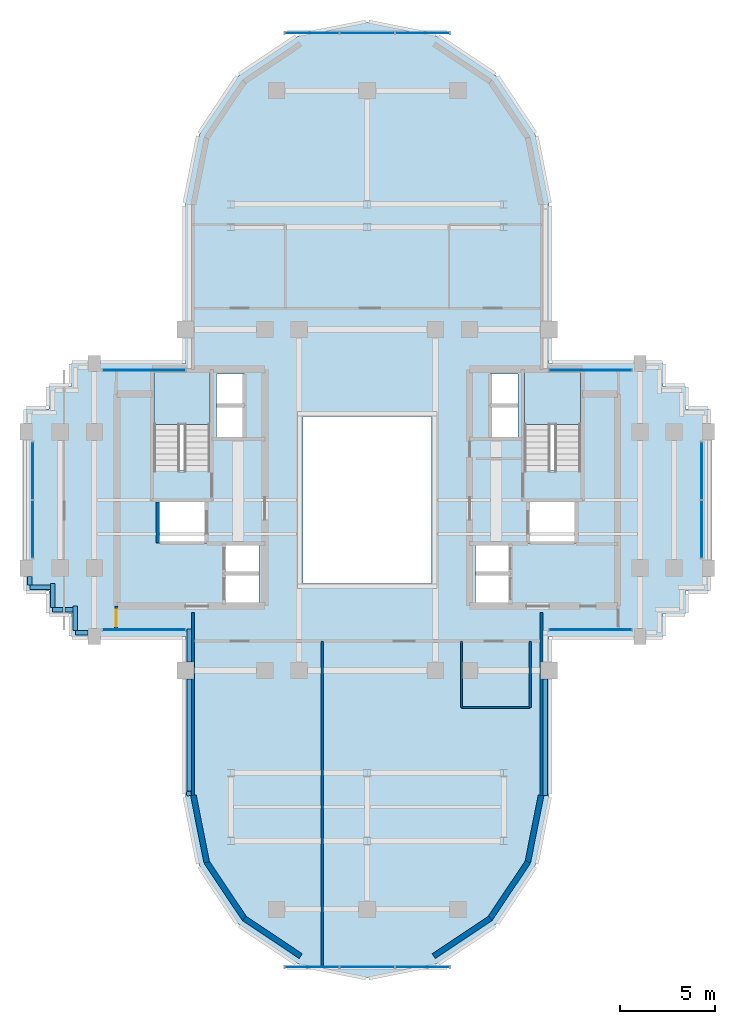
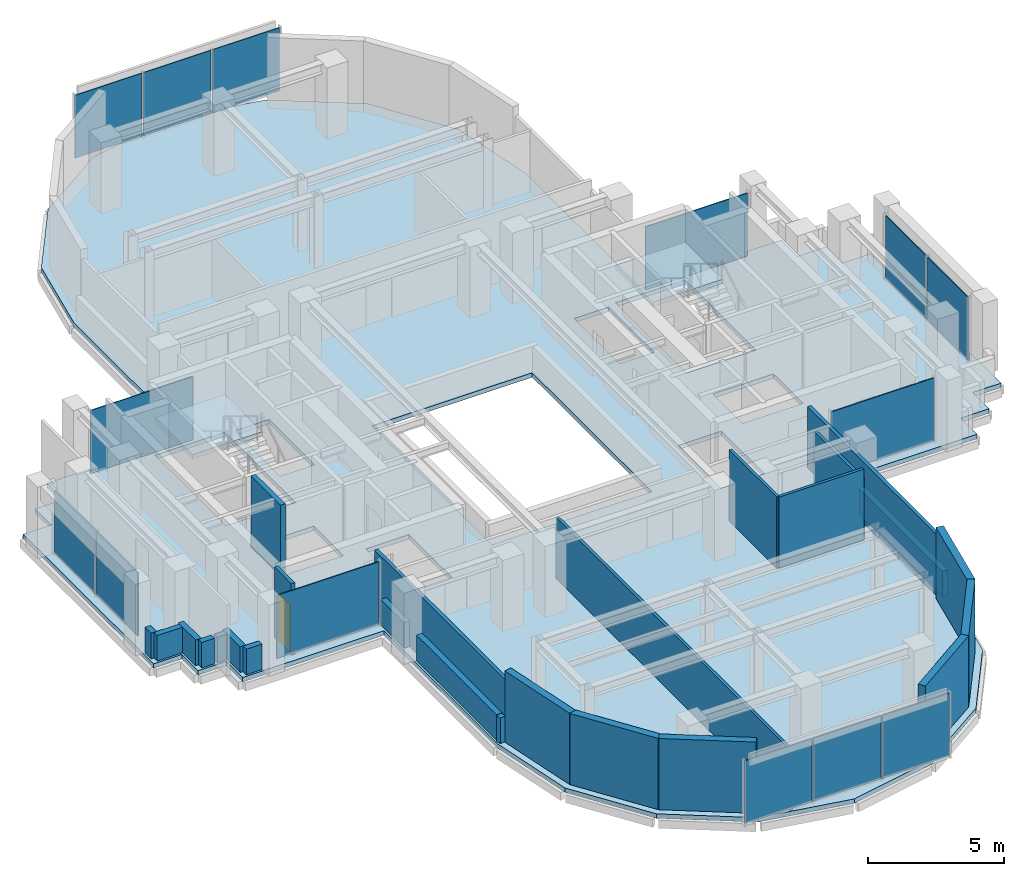
# One storey, part 5 of 11: 25 walls, 14 plates, 3 slabs, 1 door, 1 opening, 10 elements without a shape of their own.
"""IFC4 building model written with IfcOpenShell, lengths in metres."""

from ifc_helpers import new_model, si_unit, direction, frame, frame_2d, origin, origin_2d, place, context, subcontext, project, spatial, polyline, rectangle, outline, extrude, source, transform, mapped, material, layer, layer_set, type_object, element, fill, aggregate, save


model = new_model("IFC4")

# Units and contexts
model_context = context("Model", 3, precision=1e-05, world=origin(), true_north=direction((0.0, 1.0)))
body_context = subcontext(model_context, "Body", "Model", "MODEL_VIEW")
ifc_project = project(units=[si_unit("LENGTHUNIT", "METRE"), si_unit("AREAUNIT", "SQUARE_METRE"), si_unit("VOLUMEUNIT", "CUBIC_METRE"), si_unit("PLANEANGLEUNIT", "RADIAN"), si_unit("MASSUNIT", "GRAM", prefix="KILO")], contexts=[model_context])

# Site, building, storey
site_placement = place(None, origin())
site = spatial("IfcSite", under=ifc_project, at=site_placement, CompositionType="ELEMENT")
building_placement = place(site_placement, origin())
building = spatial("IfcBuilding", under=site, at=building_placement, Name="Keilestroom Media Tower", CompositionType="ELEMENT")
storey_placement = place(building_placement, frame((0.0, 0.0, 174.0)))
storey = spatial("IfcBuildingStorey", under=building, at=storey_placement, Name="L47", CompositionType="ELEMENT", Elevation=174.0)

# Slab
ifc_material_1 = material(Name="Concrete C50/60", Category="concrete")
ifc_layer_1 = layer(ifc_material_1, 0.199951171875)
ifc_layer_set_1 = layer_set([ifc_layer_1], Name="Concrete C50/60")
slab_type_1 = type_object("IfcSlabType", Name="Composite-Floor-Slab-200", PredefinedType="FLOOR", material=ifc_layer_set_1)
slab_1_placement = place(storey_placement, frame((0.0, 0.0, -0.199951171875)))
element("IfcSlab", 1, at=slab_1_placement, inside=storey, type_object=slab_type_1, Name="L47 Structural Composite Floor Slab", PredefinedType="FLOOR", context=body_context, shape_type="SweptSolid", body=[
    extrude(outline(polyline([(18.0, -4.800048828125), (18.0, 4.800048828125), (16.800048828125, 4.800048828125), (16.800048828125, 6.0), (15.60009765625, 6.0), (15.60009765625, 7.199951171875), (9.60009765625, 7.199951171875), (9.60009765625, 9.60009765625), (9.60009765625, 15.60009765625), (8.869140625, 19.273681640625), (6.7880859375, 22.38818359375), (3.673828125, 24.46923828125), (0.0, 25.199951171875), (-3.673828125, 24.46923828125), (-6.7880859375, 22.38818359375), (-8.869140625, 19.273681640625), (-9.60009765625, 15.60009765625), (-9.60009765625, 9.60009765625), (-9.60009765625, 7.199951171875), (-15.60009765625, 7.199951171875), (-15.60009765625, 6.0), (-16.800048828125, 6.0), (-16.800048828125, 4.800048828125), (-18.0, 4.800048828125), (-18.0, -4.800048828125), (-16.800048828125, -4.800048828125), (-16.800048828125, -6.0), (-15.60009765625, -6.0), (-15.60009765625, -7.199951171875), (-9.60009765625, -7.199951171875), (-9.60009765625, -9.60009765625), (-9.60009765625, -15.60009765625), (-8.869140625, -19.273681640625), (-6.7880859375, -22.38818359375), (-3.673828125, -24.46923828125), (0.0, -25.199951171875), (3.673828125, -24.46923828125), (6.7880859375, -22.38818359375), (8.869140625, -19.273681640625), (9.60009765625, -15.60009765625), (9.60009765625, -9.60009765625), (9.60009765625, -7.199951171875), (15.60009765625, -7.199951171875), (15.60009765625, -6.0), (16.800048828125, -6.0), (16.800048828125, -4.800048828125), (18.0, -4.800048828125)]), holes=[polyline([(-11.260009765625, 1.544921875), (-11.260009765625, 6.760009765625), (-8.300048828125, 6.760009765625), (-8.300048828125, 1.544921875), (-11.260009765625, 1.544921875)]), polyline([(-11.050048828125, -2.280029296875), (-11.050048828125, -0.10009765625), (-8.47998046875, -0.10009765625), (-8.47998046875, -2.280029296875), (-11.050048828125, -2.280029296875)]), polyline([(-7.949951171875, 3.300048828125), (-7.949951171875, 6.64990234375), (-6.47998046875, 6.64990234375), (-6.47998046875, 3.300048828125), (-7.949951171875, 3.300048828125)]), polyline([(-7.56005859375, -2.320068359375), (-5.719970703125, -2.320068359375), (-5.719970703125, -5.47998046875), (-7.56005859375, -5.47998046875), (-7.56005859375, -2.320068359375)]), polyline([(3.39990234375, -4.39990234375), (-3.39990234375, -4.39990234375), (-3.39990234375, 4.39990234375), (3.39990234375, 4.39990234375), (3.39990234375, -4.39990234375)]), polyline([(7.56005859375, -2.320068359375), (7.56005859375, -5.47998046875), (5.719970703125, -5.47998046875), (5.719970703125, -2.320068359375), (7.56005859375, -2.320068359375)]), polyline([(6.47998046875, 3.300048828125), (6.47998046875, 6.64990234375), (7.949951171875, 6.64990234375), (7.949951171875, 3.300048828125), (6.47998046875, 3.300048828125)]), polyline([(8.300048828125, 1.544921875), (8.300048828125, 6.760009765625), (11.260009765625, 6.760009765625), (11.260009765625, 1.544921875), (8.300048828125, 1.544921875)]), polyline([(8.47998046875, -2.280029296875), (8.47998046875, -0.10009765625), (11.050048828125, -0.10009765625), (11.050048828125, -2.280029296875), (8.47998046875, -2.280029296875)])]), origin(), (0.0, 0.0, 1.0), 0.199951171875),
])

# Stair, slab
ifc_material_2 = material(Name="Concrete C45/55", Category="concrete")
stair_type = type_object("IfcStairType", Name="Enclosed-Dog-Leg-Stair-ST-CORE", PredefinedType="HALF_TURN_STAIR", material=ifc_material_2)
stair_1_placement = place(storey_placement, origin())
stair_1 = element("IfcStair", 2, at=stair_1_placement, inside=storey, type_object=stair_type, Name="L47 West Core Escape Stair ST-1", PredefinedType="HALF_TURN_STAIR")
ifc_layer_2 = layer(ifc_material_2, 0.199951171875)
ifc_layer_set_2 = layer_set([ifc_layer_2], Name="Concrete C45/55")
slab_type_2 = type_object("IfcSlabType", Name="Stair-Intermediate-And-Top-Landing-Slab-200", PredefinedType="LANDING", material=ifc_layer_set_2)
slab_2_placement = place(storey_placement, frame((0.0, 0.0, 1.5)))
slab_2 = element("IfcSlab", 3, at=slab_2_placement, type_object=slab_type_2, Name="ST-1 landing 1", PredefinedType="LANDING", context=body_context, shape_type="SweptSolid", body=[
    extrude(outline(polyline([(-8.300048828125, 3.99609375), (-8.300048828125, 6.760009765625), (-11.260009765625, 6.760009765625), (-11.260009765625, 3.99609375), (-8.300048828125, 3.99609375)])), origin(), (0.0, 0.0, 1.0), 0.199951171875),
])
aggregate(stair_1, [slab_2])

stair_2_placement = place(storey_placement, origin())
stair_2 = element("IfcStair", 4, at=stair_2_placement, inside=storey, type_object=stair_type, Name="L47 East Core Escape Stair ST-2", PredefinedType="HALF_TURN_STAIR")
slab_3_placement = place(storey_placement, frame((0.0, 0.0, 1.5)))
slab_3 = element("IfcSlab", 5, at=slab_3_placement, type_object=slab_type_2, Name="ST-2 landing 1", PredefinedType="LANDING", context=body_context, shape_type="SweptSolid", body=[
    extrude(outline(polyline([(11.260009765625, 3.99609375), (11.260009765625, 6.760009765625), (8.300048828125, 6.760009765625), (8.300048828125, 3.99609375), (11.260009765625, 3.99609375)])), origin(), (0.0, 0.0, 1.0), 0.199951171875),
])
aggregate(stair_2, [slab_3])

# Curtain wall, plates
ifc_material_3 = material(Name="Anodised Aluminium Alloy", Category="aluminium")
curtain_wall_type_1 = type_object("IfcCurtainWallType", Name="Unitised-Curtain-Wall-CW-6", PredefinedType="NOTDEFINED", material=ifc_material_3)
curtain_wall_1_placement = place(storey_placement, origin())
curtain_wall_1 = element("IfcCurtainWall", 6, at=curtain_wall_1_placement, inside=storey, type_object=curtain_wall_type_1, Name="L47 Curtain Wall CW-6 CW-L47-LN-1", PredefinedType="NOTDEFINED")
ifc_material_4 = material(Name="Curved-Facet Triple Glazed Unit", Category="glass")
ifc_layer_3 = layer(ifc_material_4, 0.033935546875)
ifc_layer_set_3 = layer_set([ifc_layer_3], Name="Curved-Facet Triple Glazed Unit")
plate_type_1 = type_object("IfcPlateType", Name="Insulated-Curtain-Wall-Glazing-Panel-CW-6", PredefinedType="CURTAIN_PANEL", material=ifc_layer_set_3)
shared_shape_1 = source(origin(), body_context, "Body", "SweptSolid", [
    extrude(rectangle(XDim=2.84375, YDim=0.033935546875, at=origin_2d()), origin(), (0.0, 0.0, 1.0), 2.833984375),
])
plate_1_placement = place(storey_placement, frame((-2.9169921875, 24.64990234375, 0.072998046875), z_axis=(0.0, 0.0, 1.0), x_axis=(1.0, 0.0, 0.0)))
plate_1 = element("IfcPlate", 7, at=plate_1_placement, type_object=plate_type_1, Name="CW-6 Unitised Glazing 00", PredefinedType="CURTAIN_PANEL", context=body_context, shape_type="MappedRepresentation", body=[
    mapped(shared_shape_1, transform((0.0, 0.0, 0.0), x_axis=(1.0, 0.0, 0.0), y_axis=(0.0, 1.0, 0.0), z_axis=(0.0, 0.0, 1.0), scale=1.0)),
])
plate_2_placement = place(storey_placement, frame((2.9169921875, 24.64990234375, 0.072998046875), z_axis=(0.0, 0.0, 1.0), x_axis=(1.0, 0.0, 0.0)))
plate_2 = element("IfcPlate", 8, at=plate_2_placement, type_object=plate_type_1, Name="CW-6 Unitised Glazing 02", PredefinedType="CURTAIN_PANEL", context=body_context, shape_type="MappedRepresentation", body=[
    mapped(shared_shape_1, transform((0.0, 0.0, 0.0), x_axis=(1.0, 0.0, 0.0), y_axis=(0.0, 1.0, 0.0), z_axis=(0.0, 0.0, 1.0), scale=1.0)),
])

curtain_wall_2_placement = place(storey_placement, origin())
curtain_wall_2 = element("IfcCurtainWall", 9, at=curtain_wall_2_placement, inside=storey, type_object=curtain_wall_type_1, Name="L47 Curtain Wall CW-6 CW-L47-LS-1", PredefinedType="NOTDEFINED")
plate_3_placement = place(storey_placement, frame((-2.9169921875, -24.64990234375, 0.072998046875), z_axis=(0.0, 0.0, 1.0), x_axis=(1.0, 0.0, 0.0)))
plate_3 = element("IfcPlate", 10, at=plate_3_placement, type_object=plate_type_1, Name="CW-6 Unitised Glazing 00", PredefinedType="CURTAIN_PANEL", context=body_context, shape_type="MappedRepresentation", body=[
    mapped(shared_shape_1, transform((0.0, 0.0, 0.0), x_axis=(1.0, 0.0, 0.0), y_axis=(0.0, 1.0, 0.0), z_axis=(0.0, 0.0, 1.0), scale=1.0)),
])
plate_4_placement = place(storey_placement, frame((2.9169921875, -24.64990234375, 0.072998046875), z_axis=(0.0, 0.0, 1.0), x_axis=(1.0, 0.0, 0.0)))
plate_4 = element("IfcPlate", 11, at=plate_4_placement, type_object=plate_type_1, Name="CW-6 Unitised Glazing 02", PredefinedType="CURTAIN_PANEL", context=body_context, shape_type="MappedRepresentation", body=[
    mapped(shared_shape_1, transform((0.0, 0.0, 0.0), x_axis=(1.0, 0.0, 0.0), y_axis=(0.0, 1.0, 0.0), z_axis=(0.0, 0.0, 1.0), scale=1.0)),
])

# Plate
shared_shape_2 = source(origin(), body_context, "Body", "SweptSolid", [
    extrude(rectangle(XDim=2.876220703125, YDim=0.033935546875, at=origin_2d()), origin(), (0.0, 0.0, 1.0), 2.833984375),
])
plate_5_placement = place(storey_placement, frame((0.0, 24.64990234375, 0.072998046875), z_axis=(0.0, 0.0, 1.0), x_axis=(1.0, 0.0, 0.0)))
plate_5 = element("IfcPlate", 12, at=plate_5_placement, type_object=plate_type_1, Name="CW-6 Unitised Glazing 01", PredefinedType="CURTAIN_PANEL", context=body_context, shape_type="MappedRepresentation", body=[
    mapped(shared_shape_2, transform((0.0, 0.0, 0.0), x_axis=(1.0, 0.0, 0.0), y_axis=(0.0, 1.0, 0.0), z_axis=(0.0, 0.0, 1.0), scale=1.0)),
])

aggregate(curtain_wall_1, [plate_1, plate_5, plate_2])

plate_6_placement = place(storey_placement, frame((0.0, -24.64990234375, 0.072998046875), z_axis=(0.0, 0.0, 1.0), x_axis=(1.0, 0.0, 0.0)))
plate_6 = element("IfcPlate", 13, at=plate_6_placement, type_object=plate_type_1, Name="CW-6 Unitised Glazing 01", PredefinedType="CURTAIN_PANEL", context=body_context, shape_type="MappedRepresentation", body=[
    mapped(shared_shape_2, transform((0.0, 0.0, 0.0), x_axis=(1.0, 0.0, 0.0), y_axis=(0.0, 1.0, 0.0), z_axis=(0.0, 0.0, 1.0), scale=1.0)),
])

aggregate(curtain_wall_2, [plate_3, plate_6, plate_4])

# Curtain wall, plate
curtain_wall_type_2 = type_object("IfcCurtainWallType", Name="Unitised-Curtain-Wall-CW-3", PredefinedType="NOTDEFINED", material=ifc_material_3)
curtain_wall_3_placement = place(storey_placement, origin())
curtain_wall_3 = element("IfcCurtainWall", 14, at=curtain_wall_3_placement, inside=storey, type_object=curtain_wall_type_2, Name="L47 Curtain Wall CW-3 CW-L47-NW-1", PredefinedType="NOTDEFINED")
ifc_material_5 = material(Name="Triple Glazed Acoustic Low-E Unit", Category="glass")
ifc_layer_4 = layer(ifc_material_5, 0.0380859375)
ifc_layer_set_4 = layer_set([ifc_layer_4], Name="Triple Glazed Acoustic Low-E Unit")
plate_type_2 = type_object("IfcPlateType", Name="Insulated-Curtain-Wall-Glazing-Panel-CW-3", PredefinedType="CURTAIN_PANEL", material=ifc_layer_set_4)
shared_shape_3 = source(origin(), body_context, "Body", "SweptSolid", [
    extrude(rectangle(XDim=4.343017578125, YDim=0.0380859375, at=origin_2d()), origin(), (0.0, 0.0, 1.0), 2.833984375),
])
plate_7_placement = place(storey_placement, frame((-11.782470703125, 6.85009765625, 0.072998046875), z_axis=(0.0, 0.0, 1.0), x_axis=(1.0, 0.0, 0.0)))
plate_7 = element("IfcPlate", 15, at=plate_7_placement, type_object=plate_type_2, Name="CW-3 Unitised Glazing 00", PredefinedType="CURTAIN_PANEL", context=body_context, shape_type="MappedRepresentation", body=[
    mapped(shared_shape_3, transform((0.0, 0.0, 0.0), x_axis=(1.0, 0.0, 0.0), y_axis=(0.0, 1.0, 0.0), z_axis=(0.0, 0.0, 1.0), scale=1.0)),
])
aggregate(curtain_wall_3, [plate_7])

curtain_wall_4_placement = place(storey_placement, origin())
curtain_wall_4 = element("IfcCurtainWall", 16, at=curtain_wall_4_placement, inside=storey, type_object=curtain_wall_type_2, Name="L47 Curtain Wall CW-3 CW-L47-NE-1", PredefinedType="NOTDEFINED")
plate_8_placement = place(storey_placement, frame((11.782470703125, 6.85009765625, 0.072998046875), z_axis=(0.0, 0.0, 1.0), x_axis=(1.0, 0.0, 0.0)))
plate_8 = element("IfcPlate", 17, at=plate_8_placement, type_object=plate_type_2, Name="CW-3 Unitised Glazing 00", PredefinedType="CURTAIN_PANEL", context=body_context, shape_type="MappedRepresentation", body=[
    mapped(shared_shape_3, transform((0.0, 0.0, 0.0), x_axis=(1.0, 0.0, 0.0), y_axis=(0.0, 1.0, 0.0), z_axis=(0.0, 0.0, 1.0), scale=1.0)),
])
aggregate(curtain_wall_4, [plate_8])

curtain_wall_5_placement = place(storey_placement, origin())
curtain_wall_5 = element("IfcCurtainWall", 18, at=curtain_wall_5_placement, inside=storey, type_object=curtain_wall_type_2, Name="L47 Curtain Wall CW-3 CW-L47-SW-1", PredefinedType="NOTDEFINED")
plate_9_placement = place(storey_placement, frame((-11.782470703125, -6.85009765625, 0.072998046875), z_axis=(0.0, 0.0, 1.0), x_axis=(1.0, 0.0, 0.0)))
plate_9 = element("IfcPlate", 19, at=plate_9_placement, type_object=plate_type_2, Name="CW-3 Unitised Glazing 00", PredefinedType="CURTAIN_PANEL", context=body_context, shape_type="MappedRepresentation", body=[
    mapped(shared_shape_3, transform((0.0, 0.0, 0.0), x_axis=(1.0, 0.0, 0.0), y_axis=(0.0, 1.0, 0.0), z_axis=(0.0, 0.0, 1.0), scale=1.0)),
])
aggregate(curtain_wall_5, [plate_9])

curtain_wall_6_placement = place(storey_placement, origin())
curtain_wall_6 = element("IfcCurtainWall", 20, at=curtain_wall_6_placement, inside=storey, type_object=curtain_wall_type_2, Name="L47 Curtain Wall CW-3 CW-L47-SE-1", PredefinedType="NOTDEFINED")
plate_10_placement = place(storey_placement, frame((11.782470703125, -6.85009765625, 0.072998046875), z_axis=(0.0, 0.0, 1.0), x_axis=(1.0, 0.0, 0.0)))
plate_10 = element("IfcPlate", 21, at=plate_10_placement, type_object=plate_type_2, Name="CW-3 Unitised Glazing 00", PredefinedType="CURTAIN_PANEL", context=body_context, shape_type="MappedRepresentation", body=[
    mapped(shared_shape_3, transform((0.0, 0.0, 0.0), x_axis=(1.0, 0.0, 0.0), y_axis=(0.0, 1.0, 0.0), z_axis=(0.0, 0.0, 1.0), scale=1.0)),
])
aggregate(curtain_wall_6, [plate_10])

# Curtain wall, plates
curtain_wall_7_placement = place(storey_placement, origin())
curtain_wall_7 = element("IfcCurtainWall", 22, at=curtain_wall_7_placement, inside=storey, type_object=curtain_wall_type_2, Name="L47 Curtain Wall CW-3 CW-L47-W-1", PredefinedType="NOTDEFINED")
shared_shape_4 = source(origin(), body_context, "Body", "SweptSolid", [
    extrude(rectangle(XDim=3.025390625, YDim=0.0380859375, at=origin_2d()), origin(), (0.0, 0.0, 1.0), 2.833984375),
])
plate_11_placement = place(storey_placement, frame((-17.64990234375, -1.541259765625, 0.072998046875), z_axis=(0.0, 0.0, 1.0), x_axis=(0.0, 1.0, 0.0)))
plate_11 = element("IfcPlate", 23, at=plate_11_placement, type_object=plate_type_2, Name="CW-3 Unitised Glazing 00", PredefinedType="CURTAIN_PANEL", context=body_context, shape_type="MappedRepresentation", body=[
    mapped(shared_shape_4, transform((0.0, 0.0, 0.0), x_axis=(1.0, 0.0, 0.0), y_axis=(0.0, 1.0, 0.0), z_axis=(0.0, 0.0, 1.0), scale=1.0)),
])
plate_12_placement = place(storey_placement, frame((-17.64990234375, 1.541259765625, 0.072998046875), z_axis=(0.0, 0.0, 1.0), x_axis=(0.0, 1.0, 0.0)))
plate_12 = element("IfcPlate", 24, at=plate_12_placement, type_object=plate_type_2, Name="CW-3 Unitised Glazing 01", PredefinedType="CURTAIN_PANEL", context=body_context, shape_type="MappedRepresentation", body=[
    mapped(shared_shape_4, transform((0.0, 0.0, 0.0), x_axis=(1.0, 0.0, 0.0), y_axis=(0.0, 1.0, 0.0), z_axis=(0.0, 0.0, 1.0), scale=1.0)),
])
aggregate(curtain_wall_7, [plate_11, plate_12])

curtain_wall_8_placement = place(storey_placement, origin())
curtain_wall_8 = element("IfcCurtainWall", 25, at=curtain_wall_8_placement, inside=storey, type_object=curtain_wall_type_2, Name="L47 Curtain Wall CW-3 CW-L47-E-1", PredefinedType="NOTDEFINED")
plate_13_placement = place(storey_placement, frame((17.64990234375, -1.541259765625, 0.072998046875), z_axis=(0.0, 0.0, 1.0), x_axis=(0.0, 1.0, 0.0)))
plate_13 = element("IfcPlate", 26, at=plate_13_placement, type_object=plate_type_2, Name="CW-3 Unitised Glazing 00", PredefinedType="CURTAIN_PANEL", context=body_context, shape_type="MappedRepresentation", body=[
    mapped(shared_shape_4, transform((0.0, 0.0, 0.0), x_axis=(1.0, 0.0, 0.0), y_axis=(0.0, 1.0, 0.0), z_axis=(0.0, 0.0, 1.0), scale=1.0)),
])
plate_14_placement = place(storey_placement, frame((17.64990234375, 1.541259765625, 0.072998046875), z_axis=(0.0, 0.0, 1.0), x_axis=(0.0, 1.0, 0.0)))
plate_14 = element("IfcPlate", 27, at=plate_14_placement, type_object=plate_type_2, Name="CW-3 Unitised Glazing 01", PredefinedType="CURTAIN_PANEL", context=body_context, shape_type="MappedRepresentation", body=[
    mapped(shared_shape_4, transform((0.0, 0.0, 0.0), x_axis=(1.0, 0.0, 0.0), y_axis=(0.0, 1.0, 0.0), z_axis=(0.0, 0.0, 1.0), scale=1.0)),
])
aggregate(curtain_wall_8, [plate_13, plate_14])

# Walls
ifc_material_6 = material(Name="Precast concrete C40/50", Category="concrete")
ifc_layer_5 = layer(ifc_material_6, 0.300048828125)
ifc_layer_set_5 = layer_set([ifc_layer_5], Name="Precast concrete C40/50")
wall_type_1 = type_object("IfcWallType", Name="Exterior-Masonry-Spandrel-Wall-300", PredefinedType="SOLIDWALL", material=ifc_layer_set_5)
for number, where, z_axis, x_axis, name in (
    (28, (-9.1748046875, -15.585205078125, 0.0), (0.0, 0.0, 1.0), (0.195114232679, -0.980780523974, 0.0), "L47 Lobe Facet Precast Frame Wall 07"),
    (29, (-8.48193359375, -19.097412109375, 0.0), (0.0, 0.0, 1.0), (0.555574187116, -0.831466970246, 0.0), "L47 Lobe Facet Precast Frame Wall 08"),
):
    element("IfcWall", number, at=place(storey_placement, frame(where, z_axis=z_axis, x_axis=x_axis)), inside=storey, type_object=wall_type_1, Name=name, PredefinedType="SOLIDWALL", context=body_context, shape_type="SweptSolid", body=[
        extrude(rectangle(XDim=3.608642578125, YDim=0.300048828125, at=frame_2d((1.80419921875, 0.0))), origin(), (0.0, 0.0, 1.0), 3.199951171875),
    ])
for number, where, z_axis, x_axis, name in (
    (30, (-6.497802734375, -22.0771484375, 0.0), (0.0, 0.0, 1.0), (0.8314749531, -0.555562239868, 0.0), "L47 Lobe Facet Precast Frame Wall 09"),
    (31, (3.510009765625, -24.073486328125, 0.0), (0.0, 0.0, 1.0), (0.8314749531, 0.555562239868, 0.0), "L47 Lobe Facet Precast Frame Wall 10"),
):
    element("IfcWall", number, at=place(storey_placement, frame(where, z_axis=z_axis, x_axis=x_axis)), inside=storey, type_object=wall_type_1, Name=name, PredefinedType="SOLIDWALL", context=body_context, shape_type="SweptSolid", body=[
        extrude(rectangle(XDim=3.59326171875, YDim=0.300048828125, at=frame_2d((1.796630859375, 0.0))), origin(), (0.0, 0.0, 1.0), 3.199951171875),
    ])
for number, where, z_axis, x_axis, name in (
    (32, (6.47705078125, -22.097900390625, 0.0), (0.0, 0.0, 1.0), (0.555574187116, 0.831466970246, 0.0), "L47 Lobe Facet Precast Frame Wall 11"),
    (33, (8.470703125, -19.12451171875, 0.0), (0.0, 0.0, 1.0), (0.195114232679, 0.980780523974, 0.0), "L47 Lobe Facet Precast Frame Wall 12"),
):
    element("IfcWall", number, at=place(storey_placement, frame(where, z_axis=z_axis, x_axis=x_axis)), inside=storey, type_object=wall_type_1, Name=name, PredefinedType="SOLIDWALL", context=body_context, shape_type="SweptSolid", body=[
        extrude(rectangle(XDim=3.608642578125, YDim=0.300048828125, at=frame_2d((1.80419921875, 0.0))), origin(), (0.0, 0.0, 1.0), 3.199951171875),
    ])
ifc_material_7 = material(Name="Gypsum Plasterboard & Steel Stud", Category="steel")
ifc_layer_6 = layer(ifc_material_7, 0.1201171875)
ifc_layer_set_6 = layer_set([ifc_layer_6], Name="Gypsum Plasterboard & Steel Stud")
wall_type_2 = type_object("IfcWallType", Name="Interior-Partition-Wall-120", PredefinedType="PARTITIONING", material=ifc_layer_set_6)
wall_1_placement = place(storey_placement, frame((4.97998046875, -10.949951171875, 0.0), z_axis=(0.0, 0.0, 1.0), x_axis=(1.0, 0.0, 0.0)))
element("IfcWall", 34, at=wall_1_placement, inside=storey, type_object=wall_type_2, Name="L47 Interior Wall WP-L47-SL-WC1-S", PredefinedType="PARTITIONING", context=body_context, shape_type="SweptSolid", body=[
    extrude(rectangle(XDim=3.6201171875, YDim=0.1201171875, at=frame_2d((1.81005859375, 0.0))), origin(), (0.0, 0.0, 1.0), 3.199951171875),
])
wall_2_placement = place(storey_placement, frame((4.97998046875, -10.949951171875, 0.0), z_axis=(0.0, 0.0, 1.0), x_axis=(0.0, 1.0, 0.0)))
element("IfcWall", 35, at=wall_2_placement, inside=storey, type_object=wall_type_2, Name="L47 Interior Wall WP-L47-SL-WC1-W", PredefinedType="PARTITIONING", context=body_context, shape_type="SweptSolid", body=[
    extrude(rectangle(XDim=3.5, YDim=0.1201171875, at=frame_2d((1.75, 0.0))), origin(), (0.0, 0.0, 1.0), 3.199951171875),
])
wall_3_placement = place(storey_placement, frame((8.60009765625, -10.949951171875, 0.0), z_axis=(0.0, 0.0, 1.0), x_axis=(0.0, 1.0, 0.0)))
element("IfcWall", 36, at=wall_3_placement, inside=storey, type_object=wall_type_2, Name="L47 Interior Wall WP-L47-SL-WC1-E", PredefinedType="PARTITIONING", context=body_context, shape_type="SweptSolid", body=[
    extrude(rectangle(XDim=3.5, YDim=0.1201171875, at=frame_2d((1.75, 0.0))), origin(), (0.0, 0.0, 1.0), 2.75),
])
wall_4_placement = place(storey_placement, frame((-2.3798828125, -24.64990234375, 0.0), z_axis=(0.0, 0.0, 1.0), x_axis=(0.0, 1.0, 0.0)))
element("IfcWall", 37, at=wall_4_placement, inside=storey, type_object=wall_type_2, Name="L47 Interior Wall WP-L47-SL-VS", PredefinedType="PARTITIONING", context=body_context, shape_type="SweptSolid", body=[
    extrude(rectangle(XDim=17.199951171875, YDim=0.1201171875, at=frame_2d((8.60009765625, 0.0))), origin(), (0.0, 0.0, 1.0), 2.75),
])
ifc_layer_7 = layer(ifc_material_7, 0.14990234375)
ifc_layer_set_7 = layer_set([ifc_layer_7], Name="Gypsum Plasterboard & Steel Stud")
wall_type_3 = type_object("IfcWallType", Name="Interior-Partition-Wall-150", PredefinedType="PARTITIONING", material=ifc_layer_set_7)
for number, where, z_axis, x_axis, name in (
    (38, (-9.199951171875, -15.679931640625, 0.0), (0.0, 0.0, 1.0), (0.0, 1.0, 0.0), "L47 Interior Wall WP-L47-SL-CHKW"),
    (39, (9.199951171875, -15.679931640625, 0.0), (0.0, 0.0, 1.0), (0.0, 1.0, 0.0), "L47 Interior Wall WP-L47-SL-CHKE"),
):
    element("IfcWall", number, at=place(storey_placement, frame(where, z_axis=z_axis, x_axis=x_axis)), inside=storey, type_object=wall_type_3, Name=name, PredefinedType="PARTITIONING", context=body_context, shape_type="SweptSolid", body=[
        extrude(rectangle(XDim=9.739990234375, YDim=0.14990234375, at=frame_2d((4.8701171875, 0.0))), origin(), (0.0, 0.0, 1.0), 2.75),
    ])

# Wall, opening, door
wall_5_placement = place(storey_placement, frame((-13.260009765625, -6.85009765625, 0.0), z_axis=(0.0, 0.0, 1.0), x_axis=(0.016013571389, 0.999871774545, 0.0)))
wall_5 = element("IfcWall", 40, at=wall_5_placement, inside=storey, type_object=wall_type_3, Name="L47 Interior Wall WP-L47-WA-ENTS", PredefinedType="PARTITIONING", context=body_context, shape_type="SweptSolid", body=[
    extrude(rectangle(XDim=1.250244140625, YDim=0.14990234375, at=frame_2d((0.625, 0.0))), origin(), (0.0, 0.0, 1.0), 3.199951171875),
])
opening_placement = place(wall_5_placement, frame((0.199951171875, 0.0, 0.0)))
opening = element("IfcOpeningElement", 41, at=opening_placement, cuts=wall_5, Name="Opening DI-05", PredefinedType="OPENING", context=body_context, shape_type="SweptSolid", body=[
    extrude(rectangle(XDim=0.85009765625, YDim=2.10009765625, at=frame_2d((0.425048828125, 1.050048828125))), frame((0.0, 0.0849609375, 0.0), z_axis=(0.0, -1.0, 0.0), x_axis=(1.0, 0.0, 0.0)), (0.0, 0.0, 1.0), 0.169921875),
])
ifc_material_8 = material(Name="Moisture-Resistant Oak Leaf", Category="wood")
door_type = type_object("IfcDoorType", Name="Interior-En-Suite-And-Cupboard-Door-DI-05", OperationType="NOTDEFINED", PredefinedType="DOOR", material=ifc_material_8)
shared_shape_5 = source(origin(), body_context, "Body", "SweptSolid", [
    extrude(rectangle(XDim=0.85009765625, YDim=2.10009765625, at=frame_2d((0.425048828125, 1.050048828125))), frame((0.0, 0.02490234375, 0.0), z_axis=(0.0, -1.0, 0.0), x_axis=(1.0, 0.0, 0.0)), (0.0, 0.0, 1.0), 0.050048828125),
])
door_placement = place(opening_placement, origin())
door = element("IfcDoor", 42, at=door_placement, inside=storey, type_object=door_type, Name="L47 Interior Door DI-L47-DWA-E", OperationType="SINGLE_SWING_RIGHT", OverallHeight=2.10009765625, OverallWidth=0.85009765625, PredefinedType="DOOR", context=body_context, shape_type="MappedRepresentation", body=[
    mapped(shared_shape_5, transform((0.0, 0.0, 0.0), x_axis=(1.0, 0.0, 0.0), y_axis=(0.0, 1.0, 0.0), z_axis=(0.0, 0.0, 1.0), scale=1.0)),
])
fill(opening, door)

# Walls
ifc_layer_8 = layer(ifc_material_1, 0.199951171875)
ifc_layer_set_8 = layer_set([ifc_layer_8], Name="Concrete C50/60")
wall_type_4 = type_object("IfcWallType", Name="Reinforced-Concrete-Shaft-Wall-200", PredefinedType="SOLIDWALL", material=ifc_layer_set_8)
wall_6_placement = place(storey_placement, frame((-11.050048828125, -2.280029296875, 0.0), z_axis=(0.0, 0.0, 1.0), x_axis=(0.0, 1.0, 0.0)))
element("IfcWall", 43, at=wall_6_placement, inside=storey, type_object=wall_type_4, Name="L47 Core Shear Wall WL-L47-LSH-FFL-1-W", PredefinedType="SOLIDWALL", context=body_context, shape_type="SweptSolid", body=[
    extrude(rectangle(XDim=2.179931640625, YDim=0.199951171875, at=frame_2d((1.08984375, 0.0))), origin(), (0.0, 0.0, 1.0), 3.199951171875),
])
ifc_layer_9 = layer(ifc_material_6, 0.239990234375)
ifc_layer_set_9 = layer_set([ifc_layer_9], Name="Precast concrete C40/50")
wall_type_5 = type_object("IfcWallType", Name="Roof-And-Terrace-Parapet-Wall-240", PredefinedType="PARAPET", material=ifc_layer_set_9)
wall_7_placement = place(storey_placement, frame((9.39990234375, -9.452880859375, 0.0), z_axis=(0.0, 0.0, 1.0), x_axis=(0.0, -1.0, 0.0)))
element("IfcWall", 44, at=wall_7_placement, inside=storey, type_object=wall_type_5, Name="L47 Perimeter Edge Parapet Wall 08", PredefinedType="PARAPET", context=body_context, shape_type="SweptSolid", body=[
    extrude(rectangle(XDim=6.14990234375, YDim=0.239990234375, at=frame_2d((3.074951171875, 0.0))), origin(), (0.0, 0.0, 1.0), 1.14990234375),
])
wall_8_placement = place(storey_placement, frame((-9.395263671875, -15.604248046875, 0.0), z_axis=(0.0, 0.0, 1.0), x_axis=(-0.194652052864, 0.980872355771, 0.0)))
element("IfcWall", 45, at=wall_8_placement, inside=storey, type_object=wall_type_5, Name="L47 Perimeter Edge Parapet Wall 09", PredefinedType="PARAPET", context=body_context, shape_type="SweptSolid", body=[
    extrude(rectangle(XDim=0.224609375, YDim=0.239990234375, at=frame_2d((0.1123046875, 0.0))), origin(), (0.0, 0.0, 1.0), 1.14990234375),
])
wall_9_placement = place(storey_placement, frame((-9.39990234375, -15.357666015625, 0.0), z_axis=(0.0, 0.0, 1.0), x_axis=(0.0, 1.0, 0.0)))
element("IfcWall", 46, at=wall_9_placement, inside=storey, type_object=wall_type_5, Name="L47 Perimeter Edge Parapet Wall 10", PredefinedType="PARAPET", context=body_context, shape_type="SweptSolid", body=[
    extrude(rectangle(XDim=5.90478515625, YDim=0.239990234375, at=frame_2d((2.952392578125, 0.0))), origin(), (0.0, 0.0, 1.0), 1.14990234375),
])
wall_10_placement = place(storey_placement, frame((-9.39990234375, -8.547119140625, 0.0), z_axis=(0.0, 0.0, 1.0), x_axis=(0.0, 1.0, 0.0)))
element("IfcWall", 47, at=wall_10_placement, inside=storey, type_object=wall_type_5, Name="L47 Perimeter Edge Parapet Wall 11", PredefinedType="PARAPET", context=body_context, shape_type="SweptSolid", body=[
    extrude(rectangle(XDim=1.728271484375, YDim=0.239990234375, at=frame_2d((0.8642578125, 0.0))), origin(), (0.0, 0.0, 1.0), 1.14990234375),
])
wall_11_placement = place(storey_placement, frame((-14.72802734375, -7.0, 0.0), z_axis=(0.0, 0.0, 1.0), x_axis=(-1.0, 0.0, 0.0)))
element("IfcWall", 48, at=wall_11_placement, inside=storey, type_object=wall_type_5, Name="L47 Perimeter Edge Parapet Wall 12", PredefinedType="PARAPET", context=body_context, shape_type="SweptSolid", body=[
    extrude(rectangle(XDim=0.671875, YDim=0.239990234375, at=frame_2d((0.3359375, 0.0))), origin(), (0.0, 0.0, 1.0), 1.14990234375),
])
wall_12_placement = place(storey_placement, frame((-15.39990234375, -6.876953125, 0.0), z_axis=(0.0, 0.0, 1.0), x_axis=(0.0, 1.0, 0.0)))
element("IfcWall", 49, at=wall_12_placement, inside=storey, type_object=wall_type_5, Name="L47 Perimeter Edge Parapet Wall 13", PredefinedType="PARAPET", context=body_context, shape_type="SweptSolid", body=[
    extrude(rectangle(XDim=1.27685546875, YDim=0.239990234375, at=frame_2d((0.638427734375, 0.0))), origin(), (0.0, 0.0, 1.0), 1.14990234375),
])
wall_13_placement = place(storey_placement, frame((-15.52294921875, -5.800048828125, 0.0), z_axis=(0.0, 0.0, 1.0), x_axis=(-1.0, 0.0, 0.0)))
element("IfcWall", 50, at=wall_13_placement, inside=storey, type_object=wall_type_5, Name="L47 Perimeter Edge Parapet Wall 14", PredefinedType="PARAPET", context=body_context, shape_type="SweptSolid", body=[
    extrude(rectangle(XDim=0.4140625, YDim=0.239990234375, at=frame_2d((0.20703125, 0.0))), origin(), (0.0, 0.0, 1.0), 1.14990234375),
])
wall_14_placement = place(storey_placement, frame((-16.06298828125, -5.800048828125, 0.0), z_axis=(0.0, 0.0, 1.0), x_axis=(-1.0, 0.0, 0.0)))
element("IfcWall", 51, at=wall_14_placement, inside=storey, type_object=wall_type_5, Name="L47 Perimeter Edge Parapet Wall 15", PredefinedType="PARAPET", context=body_context, shape_type="SweptSolid", body=[
    extrude(rectangle(XDim=0.537109375, YDim=0.239990234375, at=frame_2d((0.2685546875, 0.0))), origin(), (0.0, 0.0, 1.0), 1.14990234375),
])
wall_15_placement = place(storey_placement, frame((-16.60009765625, -5.677001953125, 0.0), z_axis=(0.0, 0.0, 1.0), x_axis=(0.0, 1.0, 0.0)))
element("IfcWall", 52, at=wall_15_placement, inside=storey, type_object=wall_type_5, Name="L47 Perimeter Edge Parapet Wall 16", PredefinedType="PARAPET", context=body_context, shape_type="SweptSolid", body=[
    extrude(rectangle(XDim=1.277099609375, YDim=0.239990234375, at=frame_2d((0.638671875, 0.0))), origin(), (0.0, 0.0, 1.0), 1.14990234375),
])
wall_16_placement = place(storey_placement, frame((-16.722900390625, -4.60009765625, 0.0), z_axis=(0.0, 0.0, 1.0), x_axis=(-1.0, 0.0, 0.0)))
element("IfcWall", 53, at=wall_16_placement, inside=storey, type_object=wall_type_5, Name="L47 Perimeter Edge Parapet Wall 17", PredefinedType="PARAPET", context=body_context, shape_type="SweptSolid", body=[
    extrude(rectangle(XDim=1.0771484375, YDim=0.239990234375, at=frame_2d((0.53857421875, 0.0))), origin(), (0.0, 0.0, 1.0), 1.14990234375),
])
wall_17_placement = place(storey_placement, frame((-17.800048828125, -4.47705078125, 0.0), z_axis=(0.0, 0.0, 1.0), x_axis=(0.0, 1.0, 0.0)))
element("IfcWall", 54, at=wall_17_placement, inside=storey, type_object=wall_type_5, Name="L47 Perimeter Edge Parapet Wall 18", PredefinedType="PARAPET", context=body_context, shape_type="SweptSolid", body=[
    extrude(rectangle(XDim=0.448974609375, YDim=0.239990234375, at=frame_2d((0.224609375, 0.0))), origin(), (0.0, 0.0, 1.0), 1.14990234375),
])

save(model, "model.ifc")
